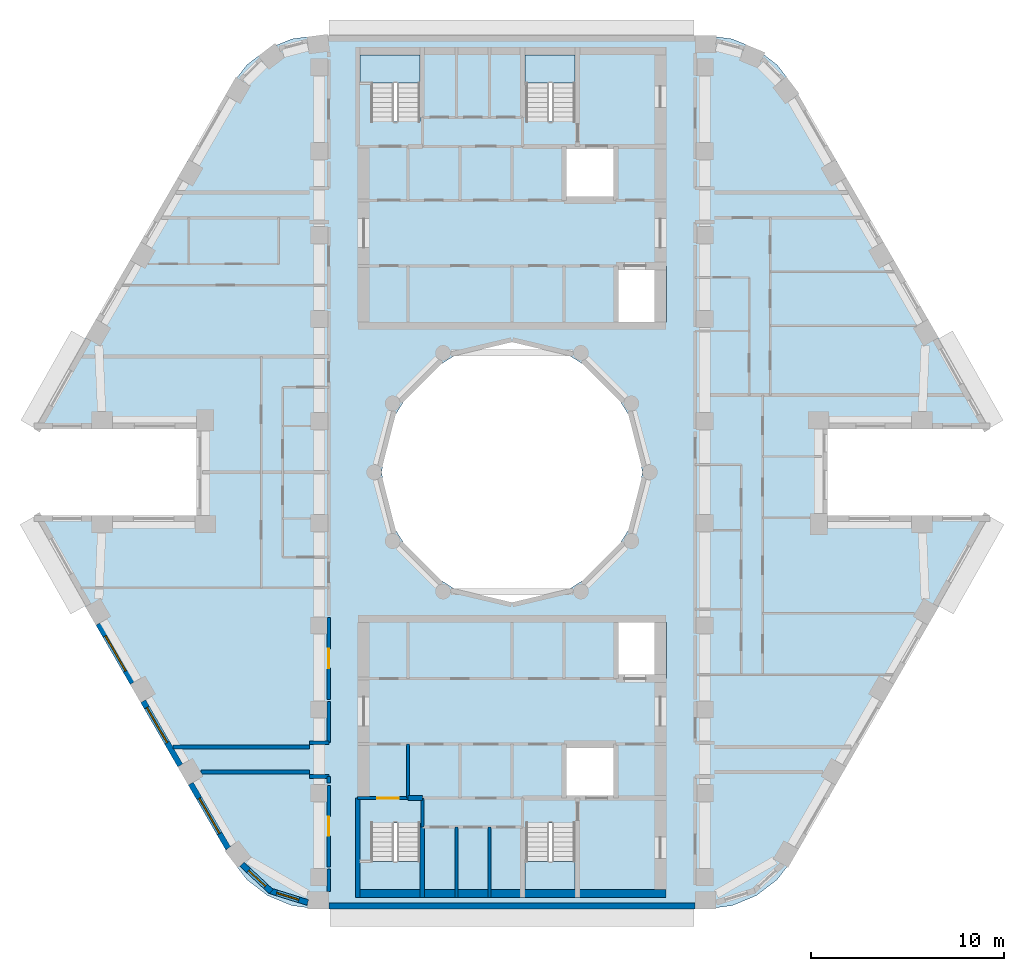
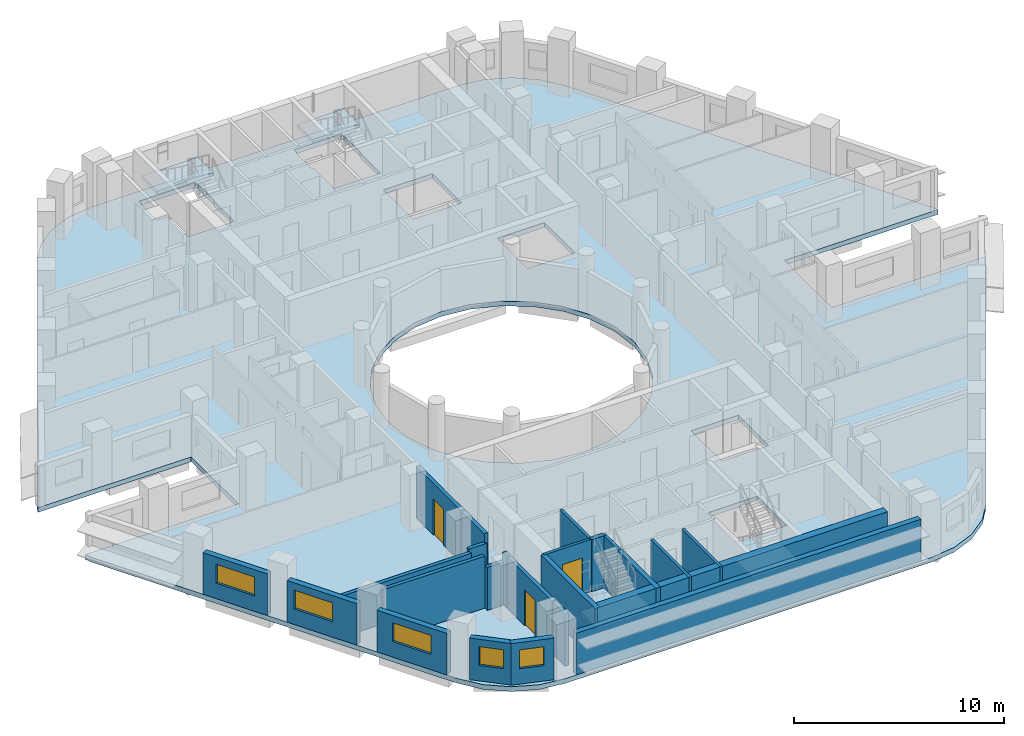
# One storey, part 2 of 12: 24 walls, 5 slabs, 5 windows, 3 doors, 8 openings, 4 elements without a shape of their own.
"""IFC4 building model written with IfcOpenShell, lengths in metres."""

from ifc_helpers import new_model, si_unit, direction, frame, frame_2d, origin, place, context, subcontext, project, spatial, polyline, rectangle, outline, extrude, material, layer, layer_set, type_object, element, fill, aggregate, save


model = new_model("IFC4")

# Units and contexts
model_context = context("Model", 3, precision=1e-05, world=origin(), true_north=direction((0.0, 1.0)))
body_context = subcontext(model_context, "Body", "Model", "MODEL_VIEW")
ifc_project = project(units=[si_unit("LENGTHUNIT", "METRE"), si_unit("AREAUNIT", "SQUARE_METRE"), si_unit("VOLUMEUNIT", "CUBIC_METRE"), si_unit("PLANEANGLEUNIT", "RADIAN"), si_unit("MASSUNIT", "GRAM", prefix="KILO")], contexts=[model_context])

# Site, building, storey
site_placement = place(None, origin())
site = spatial("IfcSite", under=ifc_project, at=site_placement, CompositionType="ELEMENT")
building_placement = place(site_placement, origin())
building = spatial("IfcBuilding", under=site, at=building_placement, Name="Nakaniwa Court", CompositionType="ELEMENT")
storey_placement = place(building_placement, frame((0.0, 0.0, 252.60009765625)))
storey = spatial("IfcBuildingStorey", under=building, at=storey_placement, Name="L66", CompositionType="ELEMENT", Elevation=252.60009765625)

# Slab
ifc_material_1 = material(Name="Concrete C80/100", Category="concrete")
ifc_layer_1 = layer(ifc_material_1, 0.27490234375)
ifc_layer_set_1 = layer_set([ifc_layer_1], Name="Concrete C80/100")
slab_type_1 = type_object("IfcSlabType", Name="Concrete C80/100 post tensioned floor slab 275", PredefinedType="FLOOR", material=ifc_layer_set_1)
slab_1_placement = place(storey_placement, frame((0.0, 0.0, -0.275146484375)))
element("IfcSlab", 1, at=slab_1_placement, inside=storey, type_object=slab_type_1, Name="FLOOR SLAB", PredefinedType="FLOOR", context=body_context, shape_type="SweptSolid", body=[
    extrude(outline(polyline([(96.349609375, 82.25), (104.7978515625, 82.25), (104.65283203125, 82.60009765625), (94.578125, 100.050048828125), (93.751708984375, 101.126953125), (92.6748046875, 101.953369140625), (91.420654296875, 102.472900390625), (90.07470703125, 102.64990234375), (69.92529296875, 102.64990234375), (68.579345703125, 102.472900390625), (67.3251953125, 101.953369140625), (66.248291015625, 101.126953125), (65.421875, 100.050048828125), (55.34716796875, 82.60009765625), (55.2021484375, 82.25), (63.650390625, 82.25), (63.650390625, 77.75), (55.2021484375, 77.75), (55.34716796875, 77.39990234375), (65.421875, 59.949951171875), (66.248291015625, 58.873046875), (67.3251953125, 58.046630859375), (68.579345703125, 57.527099609375), (69.92529296875, 57.35009765625), (90.07470703125, 57.35009765625), (91.420654296875, 57.527099609375), (92.6748046875, 58.046630859375), (93.751708984375, 58.873046875), (94.578125, 59.949951171875), (104.65283203125, 77.39990234375), (104.7978515625, 77.75), (96.349609375, 77.75), (96.349609375, 82.25)]), holes=[polyline([(81.501953125, 86.580810546875), (80.0, 86.75), (78.498046875, 86.580810546875), (77.0712890625, 86.08154296875), (75.79150390625, 85.27734375), (74.72265625, 84.20849609375), (73.91845703125, 82.9287109375), (73.419189453125, 81.501953125), (73.25, 80.0), (73.419189453125, 78.498046875), (73.91845703125, 77.0712890625), (74.72265625, 75.79150390625), (75.79150390625, 74.72265625), (77.0712890625, 73.91845703125), (78.498046875, 73.419189453125), (80.0, 73.25), (81.501953125, 73.419189453125), (82.9287109375, 73.91845703125), (84.20849609375, 74.72265625), (85.27734375, 75.79150390625), (86.08154296875, 77.0712890625), (86.580810546875, 78.498046875), (86.75, 80.0), (86.580810546875, 81.501953125), (86.08154296875, 82.9287109375), (85.27734375, 84.20849609375), (84.20849609375, 85.27734375), (82.9287109375, 86.08154296875), (81.501953125, 86.580810546875)]), polyline([(72.675048828125, 61.81005859375), (72.675048828125, 59.864990234375), (72.0849609375, 59.864990234375), (72.0849609375, 58.31005859375), (72.125, 58.31005859375), (72.125, 58.074951171875), (75.22509765625, 58.074951171875), (75.22509765625, 58.31005859375), (75.264892578125, 58.31005859375), (75.264892578125, 59.864990234375), (75.22509765625, 59.864990234375), (75.22509765625, 61.81005859375), (72.675048828125, 61.81005859375)]), polyline([(83.27490234375, 61.81005859375), (80.72509765625, 61.81005859375), (80.72509765625, 59.864990234375), (80.635009765625, 59.864990234375), (80.635009765625, 58.31005859375), (80.675048828125, 58.31005859375), (80.675048828125, 58.074951171875), (83.27490234375, 58.074951171875), (83.27490234375, 58.31005859375), (83.31494140625, 58.31005859375), (83.31494140625, 59.864990234375), (83.27490234375, 59.864990234375), (83.27490234375, 61.81005859375)]), polyline([(75.264892578125, 101.68994140625), (75.22509765625, 101.68994140625), (75.22509765625, 101.925048828125), (72.125, 101.925048828125), (72.125, 101.68994140625), (72.0849609375, 101.68994140625), (72.0849609375, 100.135009765625), (72.675048828125, 100.135009765625), (72.675048828125, 98.18994140625), (75.22509765625, 98.18994140625), (75.22509765625, 100.135009765625), (75.264892578125, 100.135009765625), (75.264892578125, 101.68994140625)]), polyline([(83.31494140625, 100.135009765625), (83.31494140625, 101.68994140625), (83.27490234375, 101.68994140625), (83.27490234375, 101.925048828125), (80.675048828125, 101.925048828125), (80.675048828125, 101.68994140625), (80.635009765625, 101.68994140625), (80.635009765625, 100.135009765625), (80.72509765625, 100.135009765625), (80.72509765625, 98.18994140625), (83.27490234375, 98.18994140625), (83.27490234375, 100.135009765625), (83.31494140625, 100.135009765625)]), polyline([(85.39990234375, 65.89990234375), (82.699951171875, 65.89990234375), (82.699951171875, 63.10009765625), (85.39990234375, 63.10009765625), (85.39990234375, 65.89990234375)]), polyline([(88.0, 72.199951171875), (85.39990234375, 72.199951171875), (85.39990234375, 69.300048828125), (88.0, 69.300048828125), (88.0, 72.199951171875)]), polyline([(85.39990234375, 90.699951171875), (85.39990234375, 87.800048828125), (88.0, 87.800048828125), (88.0, 90.699951171875), (85.39990234375, 90.699951171875)]), polyline([(85.39990234375, 96.89990234375), (82.699951171875, 96.89990234375), (82.699951171875, 94.10009765625), (85.39990234375, 94.10009765625), (85.39990234375, 96.89990234375)])]), origin(), (0.0, 0.0, 1.0), 0.275146484375),
])

# Stair, slab
stair_type = type_object("IfcStairType", Name="Dog leg stair 1200 wide 18 risers", PredefinedType="HALF_TURN_STAIR", material=ifc_material_1)
stair_1_placement = place(storey_placement, origin())
stair_1 = element("IfcStair", 2, at=stair_1_placement, inside=storey, type_object=stair_type, Name="L66 Stair ST1", PredefinedType="HALF_TURN_STAIR")
ifc_layer_2 = layer(ifc_material_1, 0.199951171875)
ifc_layer_set_2 = layer_set([ifc_layer_2], Name="Concrete C80/100")
slab_type_2 = type_object("IfcSlabType", Name="Stair landing concrete", PredefinedType="LANDING", material=ifc_layer_set_2)
slab_2_placement = place(storey_placement, frame((0.0, 0.0, 1.449951171875)))
slab_2 = element("IfcSlab", 3, at=slab_2_placement, type_object=slab_type_2, Name="ST1 landing 1", PredefinedType="LANDING", context=body_context, shape_type="SweptSolid", body=[
    extrude(outline(polyline([(75.22509765625, 100.175048828125), (75.22509765625, 101.64990234375), (72.125, 101.64990234375), (72.125, 100.175048828125), (75.22509765625, 100.175048828125)])), origin(), (0.0, 0.0, 1.0), 0.199951171875),
])
aggregate(stair_1, [slab_2])

stair_2_placement = place(storey_placement, origin())
stair_2 = element("IfcStair", 4, at=stair_2_placement, inside=storey, type_object=stair_type, Name="L66 Stair ST2", PredefinedType="HALF_TURN_STAIR")
slab_3_placement = place(storey_placement, frame((0.0, 0.0, 1.449951171875)))
slab_3 = element("IfcSlab", 5, at=slab_3_placement, type_object=slab_type_2, Name="ST2 landing 1", PredefinedType="LANDING", context=body_context, shape_type="SweptSolid", body=[
    extrude(outline(polyline([(83.27490234375, 100.175048828125), (83.27490234375, 101.64990234375), (80.675048828125, 101.64990234375), (80.675048828125, 100.175048828125), (83.27490234375, 100.175048828125)])), origin(), (0.0, 0.0, 1.0), 0.199951171875),
])
aggregate(stair_2, [slab_3])

stair_3_placement = place(storey_placement, origin())
stair_3 = element("IfcStair", 6, at=stair_3_placement, inside=storey, type_object=stair_type, Name="L66 Stair ST3", PredefinedType="HALF_TURN_STAIR")
slab_4_placement = place(storey_placement, frame((0.0, 0.0, 1.449951171875)))
slab_4 = element("IfcSlab", 7, at=slab_4_placement, type_object=slab_type_2, Name="ST3 landing 1", PredefinedType="LANDING", context=body_context, shape_type="SweptSolid", body=[
    extrude(outline(polyline([(75.22509765625, 58.35009765625), (75.22509765625, 59.824951171875), (72.125, 59.824951171875), (72.125, 58.35009765625), (75.22509765625, 58.35009765625)])), origin(), (0.0, 0.0, 1.0), 0.199951171875),
])
aggregate(stair_3, [slab_4])

stair_4_placement = place(storey_placement, origin())
stair_4 = element("IfcStair", 8, at=stair_4_placement, inside=storey, type_object=stair_type, Name="L66 Stair ST4", PredefinedType="HALF_TURN_STAIR")
slab_5_placement = place(storey_placement, frame((0.0, 0.0, 1.449951171875)))
slab_5 = element("IfcSlab", 9, at=slab_5_placement, type_object=slab_type_2, Name="ST4 landing 1", PredefinedType="LANDING", context=body_context, shape_type="SweptSolid", body=[
    extrude(outline(polyline([(83.27490234375, 58.35009765625), (83.27490234375, 59.824951171875), (80.675048828125, 59.824951171875), (80.675048828125, 58.35009765625), (83.27490234375, 58.35009765625)])), origin(), (0.0, 0.0, 1.0), 0.199951171875),
])
aggregate(stair_4, [slab_5])

# Walls
ifc_material_2 = material(Name="Acoustic double stud partition")
ifc_layer_3 = layer(ifc_material_2, 0.199951171875)
ifc_layer_set_3 = layer_set([ifc_layer_3], Name="Acoustic double stud partition")
wall_type_1 = type_object("IfcWallType", Name="Acoustic double stud partition 200", PredefinedType="PARTITIONING", material=ifc_layer_set_3)
wall_1_placement = place(storey_placement, frame((63.88330078125, 64.449951171875, 0.0), z_axis=(0.0, 0.0, 1.0), x_axis=(1.0, 0.0, 0.0)))
element("IfcWall", 10, at=wall_1_placement, inside=storey, type_object=wall_type_1, Name="Partition PW-078", PredefinedType="PARTITIONING", context=body_context, shape_type="SweptSolid", body=[
    extrude(rectangle(XDim=5.61669921875, YDim=0.199951171875, at=frame_2d((2.808349609375, 0.0))), origin(), (0.0, 0.0, 1.0), 3.02490234375),
])
for number, where, z_axis, x_axis, name in (
    (11, (69.5, 64.22509765625, 0.0), (0.0, 0.0, 1.0), (1.0, 0.0, 0.0), "Partition PW-080"),
    (12, (69.5, 65.97509765625, 0.0), (0.0, 0.0, 1.0), (1.0, 0.0, 0.0), "Partition PW-082"),
):
    element("IfcWall", number, at=place(storey_placement, frame(where, z_axis=z_axis, x_axis=x_axis)), inside=storey, type_object=wall_type_1, Name=name, PredefinedType="PARTITIONING", context=body_context, shape_type="SweptSolid", body=[
        extrude(rectangle(XDim=1.0, YDim=0.199951171875, at=frame_2d((0.5, 0.0))), origin(), (0.0, 0.0, 1.0), 2.5048828125),
    ])
wall_2_placement = place(storey_placement, frame((62.419677734375, 65.75, 0.0), z_axis=(0.0, 0.0, 1.0), x_axis=(1.0, 0.0, 0.0)))
element("IfcWall", 13, at=wall_2_placement, inside=storey, type_object=wall_type_1, Name="Partition PW-084", PredefinedType="PARTITIONING", context=body_context, shape_type="SweptSolid", body=[
    extrude(rectangle(XDim=7.080322265625, YDim=0.199951171875, at=frame_2d((3.5400390625, 0.0))), origin(), (0.0, 0.0, 1.0), 2.40478515625),
])
wall_3_placement = place(storey_placement, frame((70.5, 58.26708984375, 0.0), z_axis=(0.0, 0.0, 1.0), x_axis=(0.0, 1.0, 0.0)))
element("IfcWall", 14, at=wall_3_placement, inside=storey, type_object=wall_type_1, Name="Partition PW-086", PredefinedType="PARTITIONING", context=body_context, shape_type="SweptSolid", body=[
    extrude(rectangle(XDim=1.14599609375, YDim=0.199951171875, at=frame_2d((0.572998046875, 0.0))), origin(), (0.0, 0.0, 1.0), 3.02490234375),
])

# Wall, opening, door
wall_4_placement = place(storey_placement, frame((70.5, 59.527099609375, 0.0), z_axis=(0.0, 0.0, 1.0), x_axis=(0.0, 1.0, 0.0)))
wall_4 = element("IfcWall", 15, at=wall_4_placement, inside=storey, type_object=wall_type_1, Name="Partition PW-087", PredefinedType="PARTITIONING", context=body_context, shape_type="SweptSolid", body=[
    extrude(rectangle(XDim=4.23583984375, YDim=0.199951171875, at=frame_2d((2.117919921875, 0.0))), origin(), (0.0, 0.0, 1.0), 3.02490234375),
])
opening_1_placement = place(wall_4_placement, frame((1.617919921875, 0.0, 0.0)))
opening_1 = element("IfcOpeningElement", 16, at=opening_1_placement, cuts=wall_4, Name="Opening D-02-05", PredefinedType="OPENING", context=body_context, shape_type="SweptSolid", body=[
    extrude(rectangle(XDim=1.0, YDim=2.10009765625, at=frame_2d((0.5, 1.050048828125))), frame((0.0, 0.10986328125, 0.0), z_axis=(0.0, -1.0, 0.0), x_axis=(1.0, 0.0, 0.0)), (0.0, 0.0, 1.0), 0.219970703125),
])
ifc_material_3 = material(Name="Solid core timber door set, black veneer", Category="wood")
door_type_1 = type_object("IfcDoorType", Name="Internal door 1000", OperationType="NOTDEFINED", PredefinedType="DOOR", material=ifc_material_3)
door_1_placement = place(opening_1_placement, origin())
door_1 = element("IfcDoor", 17, at=door_1_placement, inside=storey, type_object=door_type_1, Name="Door D-02-05 L66-061", OperationType="SINGLE_SWING_RIGHT", OverallHeight=2.10009765625, OverallWidth=1.0, PredefinedType="DOOR", context=body_context, shape_type="SweptSolid", body=[
    extrude(rectangle(XDim=1.0, YDim=2.10009765625, at=frame_2d((0.5, 1.050048828125))), frame((0.0, 0.02490234375, 0.0), z_axis=(0.0, -1.0, 0.0), x_axis=(1.0, 0.0, 0.0)), (0.0, 0.0, 1.0), 0.050048828125),
])
fill(opening_1, door_1)

# Walls
wall_5_placement = place(storey_placement, frame((70.5, 63.876953125, 0.0), z_axis=(0.0, 0.0, 1.0), x_axis=(0.0, 1.0, 0.0)))
element("IfcWall", 18, at=wall_5_placement, inside=storey, type_object=wall_type_1, Name="Partition PW-088", PredefinedType="PARTITIONING", context=body_context, shape_type="SweptSolid", body=[
    extrude(rectangle(XDim=0.35107421875, YDim=0.199951171875, at=frame_2d((0.175537109375, 0.0))), origin(), (0.0, 0.0, 1.0), 3.02490234375),
])
wall_6_placement = place(storey_placement, frame((70.5, 65.971923828125, 0.0), z_axis=(0.0, 0.0, 1.0), x_axis=(0.0, 1.0, 0.0)))
element("IfcWall", 19, at=wall_6_placement, inside=storey, type_object=wall_type_1, Name="Partition PW-089", PredefinedType="PARTITIONING", context=body_context, shape_type="SweptSolid", body=[
    extrude(rectangle(XDim=2.14111328125, YDim=0.199951171875, at=frame_2d((1.070556640625, 0.0))), origin(), (0.0, 0.0, 1.0), 3.02490234375),
])

# Wall, opening, door
wall_7_placement = place(storey_placement, frame((70.5, 68.22705078125, 0.0), z_axis=(0.0, 0.0, 1.0), x_axis=(0.0, 1.0, 0.0)))
wall_7 = element("IfcWall", 20, at=wall_7_placement, inside=storey, type_object=wall_type_1, Name="Partition PW-090", PredefinedType="PARTITIONING", context=body_context, shape_type="SweptSolid", body=[
    extrude(rectangle(XDim=4.23583984375, YDim=0.199951171875, at=frame_2d((2.117919921875, 0.0))), origin(), (0.0, 0.0, 1.0), 3.02490234375),
])
opening_2_placement = place(wall_7_placement, frame((1.617919921875, 0.0, 0.0)))
opening_2 = element("IfcOpeningElement", 21, at=opening_2_placement, cuts=wall_7, Name="Opening D-02-02", PredefinedType="OPENING", context=body_context, shape_type="SweptSolid", body=[
    extrude(rectangle(XDim=1.0, YDim=2.10009765625, at=frame_2d((0.5, 1.050048828125))), frame((0.0, 0.10986328125, 0.0), z_axis=(0.0, -1.0, 0.0), x_axis=(1.0, 0.0, 0.0)), (0.0, 0.0, 1.0), 0.219970703125),
])
door_2_placement = place(opening_2_placement, origin())
door_2 = element("IfcDoor", 22, at=door_2_placement, inside=storey, type_object=door_type_1, Name="Door D-02-02 L66-046", OperationType="SINGLE_SWING_LEFT", OverallHeight=2.10009765625, OverallWidth=1.0, PredefinedType="DOOR", context=body_context, shape_type="SweptSolid", body=[
    extrude(rectangle(XDim=1.0, YDim=2.10009765625, at=frame_2d((0.5, 1.050048828125))), frame((0.0, 0.02490234375, 0.0), z_axis=(0.0, -1.0, 0.0), x_axis=(1.0, 0.0, 0.0)), (0.0, 0.0, 1.0), 0.050048828125),
])
fill(opening_2, door_2)

# Wall, opening, window
ifc_material_4 = material(Name="Charcoal ceramic cladding")
ifc_layer_4 = layer(ifc_material_4, 0.02, Name="Ceramic cladding")
ifc_material_5 = material(Name="Ventilated air cavity")
ifc_layer_5 = layer(ifc_material_5, 0.04, ventilated=True, Name="Ventilated cavity")
ifc_material_6 = material(Name="Mineral wool insulation")
ifc_layer_6 = layer(ifc_material_6, 0.1, Name="Insulation")
ifc_material_7 = material(Name="Cement bonded sheathing board")
ifc_layer_7 = layer(ifc_material_7, 0.012, Name="Sheathing")
ifc_material_8 = material(Name="Cold-formed galvanised stud frame with mineral wool infill")
ifc_layer_8 = layer(ifc_material_8, 0.1, Name="Stud frame")
ifc_material_9 = material(Name="Fire-rated gypsum plasterboard lining")
ifc_layer_9 = layer(ifc_material_9, 0.028, Name="Lining")
ifc_layer_set_4 = layer_set([ifc_layer_4, ifc_layer_5, ifc_layer_6, ifc_layer_7, ifc_layer_8, ifc_layer_9], Name="Charcoal ceramic faced external wall system")
wall_type_2 = type_object("IfcWallType", Name="Black ceramic faced external wall 300", PredefinedType="SOLIDWALL", material=ifc_layer_set_4)
wall_8_placement = place(storey_placement, frame((58.55419921875, 72.14501953125, 0.0), z_axis=(0.0, 0.0, 1.0), x_axis=(0.500010404316, -0.866019396766, 0.0)))
wall_8 = element("IfcWall", 23, at=wall_8_placement, inside=storey, type_object=wall_type_2, Name="L66 external wall 21", PredefinedType="SOLIDWALL", context=body_context, shape_type="SweptSolid", body=[
    extrude(rectangle(XDim=3.54736328125, YDim=0.300048828125, at=frame_2d((1.773681640625, 0.0))), origin(), (0.0, 0.0, 1.0), 2.4248046875),
])
opening_3_placement = place(wall_8_placement, frame((0.723388671875, 0.0, 0.89990234375)))
opening_3 = element("IfcOpeningElement", 24, at=opening_3_placement, cuts=wall_8, Name="Opening W7.23", PredefinedType="OPENING", context=body_context, shape_type="SweptSolid", body=[
    extrude(rectangle(XDim=2.10009765625, YDim=1.10009765625, at=frame_2d((1.050048828125, 0.550048828125))), frame((0.0, 0.159912109375, 0.0), z_axis=(0.0, -1.0, 0.0), x_axis=(1.0, 0.0, 0.0)), (0.0, 0.0, 1.0), 0.320068359375),
])
ifc_material_10 = material(Name="Black anodised aluminium frame with dark low-E laminated double glazing", Category="aluminium")
window_type_1 = type_object("IfcWindowType", Name="Dark glass window 2100x1100 sill 900", PartitioningType="SINGLE_PANEL", PredefinedType="WINDOW", material=ifc_material_10)
window_1_placement = place(opening_3_placement, origin())
window_1 = element("IfcWindow", 25, at=window_1_placement, inside=storey, type_object=window_type_1, Name="L66 habitable room window 21-0", OverallHeight=1.10009765625, OverallWidth=2.10009765625, PartitioningType="SINGLE_PANEL", PredefinedType="WINDOW", context=body_context, shape_type="SweptSolid", body=[
    extrude(rectangle(XDim=2.10009765625, YDim=1.10009765625, at=frame_2d((1.050048828125, 0.550048828125))), frame((0.0, 0.030029296875, 0.0), z_axis=(0.0, -1.0, 0.0), x_axis=(1.0, 0.0, 0.0)), (0.0, 0.0, 1.0), 0.06005859375),
])
fill(opening_3, window_1)

wall_9_placement = place(storey_placement, frame((60.873779296875, 68.12744140625, 0.0), z_axis=(0.0, 0.0, 1.0), x_axis=(0.499984490703, -0.866034357896, 0.0)))
wall_9 = element("IfcWall", 26, at=wall_9_placement, inside=storey, type_object=wall_type_2, Name="L66 external wall 22", PredefinedType="SOLIDWALL", context=body_context, shape_type="SweptSolid", body=[
    extrude(rectangle(XDim=3.84423828125, YDim=0.300048828125, at=frame_2d((1.922119140625, 0.0))), origin(), (0.0, 0.0, 1.0), 2.4248046875),
])
opening_4_placement = place(wall_9_placement, frame((0.3837890625, 0.0, 0.89990234375)))
opening_4 = element("IfcOpeningElement", 27, at=opening_4_placement, cuts=wall_9, Name="Opening W7.24", PredefinedType="OPENING", context=body_context, shape_type="SweptSolid", body=[
    extrude(rectangle(XDim=2.10009765625, YDim=1.10009765625, at=frame_2d((1.050048828125, 0.550048828125))), frame((0.0, 0.159912109375, 0.0), z_axis=(0.0, -1.0, 0.0), x_axis=(1.0, 0.0, 0.0)), (0.0, 0.0, 1.0), 0.320068359375),
])
window_2_placement = place(opening_4_placement, origin())
window_2 = element("IfcWindow", 28, at=window_2_placement, inside=storey, type_object=window_type_1, Name="L66 habitable room window 22-0", OverallHeight=1.10009765625, OverallWidth=2.10009765625, PartitioningType="SINGLE_PANEL", PredefinedType="WINDOW", context=body_context, shape_type="SweptSolid", body=[
    extrude(rectangle(XDim=2.10009765625, YDim=1.10009765625, at=frame_2d((1.050048828125, 0.550048828125))), frame((0.0, 0.030029296875, 0.0), z_axis=(0.0, -1.0, 0.0), x_axis=(1.0, 0.0, 0.0)), (0.0, 0.0, 1.0), 0.06005859375),
])
fill(opening_4, window_2)

wall_10_placement = place(storey_placement, frame((63.342041015625, 63.8525390625, 0.0), z_axis=(0.0, 0.0, 1.0), x_axis=(0.500011218404, -0.866018926739, 0.0)))
wall_10 = element("IfcWall", 29, at=wall_10_placement, inside=storey, type_object=wall_type_2, Name="L66 external wall 23", PredefinedType="SOLIDWALL", context=body_context, shape_type="SweptSolid", body=[
    extrude(rectangle(XDim=3.87890625, YDim=0.300048828125, at=frame_2d((1.939453125, 0.0))), origin(), (0.0, 0.0, 1.0), 2.4248046875),
])
opening_5_placement = place(wall_10_placement, frame((0.878173828125, 0.0, 0.89990234375)))
opening_5 = element("IfcOpeningElement", 30, at=opening_5_placement, cuts=wall_10, Name="Opening W7.25", PredefinedType="OPENING", context=body_context, shape_type="SweptSolid", body=[
    extrude(rectangle(XDim=2.10009765625, YDim=1.10009765625, at=frame_2d((1.050048828125, 0.550048828125))), frame((0.0, 0.159912109375, 0.0), z_axis=(0.0, -1.0, 0.0), x_axis=(1.0, 0.0, 0.0)), (0.0, 0.0, 1.0), 0.320068359375),
])
window_3_placement = place(opening_5_placement, origin())
window_3 = element("IfcWindow", 31, at=window_3_placement, inside=storey, type_object=window_type_1, Name="L66 habitable room window 23-0", OverallHeight=1.10009765625, OverallWidth=2.10009765625, PartitioningType="SINGLE_PANEL", PredefinedType="WINDOW", context=body_context, shape_type="SweptSolid", body=[
    extrude(rectangle(XDim=2.10009765625, YDim=1.10009765625, at=frame_2d((1.050048828125, 0.550048828125))), frame((0.0, 0.030029296875, 0.0), z_axis=(0.0, -1.0, 0.0), x_axis=(1.0, 0.0, 0.0)), (0.0, 0.0, 1.0), 0.06005859375),
])
fill(opening_5, window_3)

wall_11_placement = place(storey_placement, frame((65.99609375, 59.665283203125, 0.0), z_axis=(0.0, 0.0, 1.0), x_axis=(0.731942518471, -0.6813663843, 0.0)))
wall_11 = element("IfcWall", 32, at=wall_11_placement, inside=storey, type_object=wall_type_2, Name="L66 external wall 24", PredefinedType="SOLIDWALL", context=body_context, shape_type="SweptSolid", body=[
    extrude(rectangle(XDim=2.07568359375, YDim=0.300048828125, at=frame_2d((1.037841796875, 0.0))), origin(), (0.0, 0.0, 1.0), 2.4248046875),
])
opening_6_placement = place(wall_11_placement, frame((0.464111328125, 0.0, 0.89990234375)))
opening_6 = element("IfcOpeningElement", 33, at=opening_6_placement, cuts=wall_11, Name="Opening W6.26", PredefinedType="OPENING", context=body_context, shape_type="SweptSolid", body=[
    extrude(rectangle(XDim=1.199951171875, YDim=1.10009765625, at=frame_2d((0.60009765625, 0.550048828125))), frame((0.0, 0.159912109375, 0.0), z_axis=(0.0, -1.0, 0.0), x_axis=(1.0, 0.0, 0.0)), (0.0, 0.0, 1.0), 0.320068359375),
])
window_type_2 = type_object("IfcWindowType", Name="Dark glass window 1200x1100 sill 900", PartitioningType="SINGLE_PANEL", PredefinedType="WINDOW", material=ifc_material_10)
window_4_placement = place(opening_6_placement, origin())
window_4 = element("IfcWindow", 34, at=window_4_placement, inside=storey, type_object=window_type_2, Name="L66 habitable room window 24-0", OverallHeight=1.10009765625, OverallWidth=1.199951171875, PartitioningType="SINGLE_PANEL", PredefinedType="WINDOW", context=body_context, shape_type="SweptSolid", body=[
    extrude(rectangle(XDim=1.199951171875, YDim=1.10009765625, at=frame_2d((0.60009765625, 0.550048828125))), frame((0.0, 0.030029296875, 0.0), z_axis=(0.0, -1.0, 0.0), x_axis=(1.0, 0.0, 0.0)), (0.0, 0.0, 1.0), 0.06005859375),
])
fill(opening_6, window_4)

wall_12_placement = place(storey_placement, frame((67.406494140625, 58.3076171875, 0.0), z_axis=(0.0, 0.0, 1.0), x_axis=(0.954761314907, -0.297373219301, 0.0)))
wall_12 = element("IfcWall", 35, at=wall_12_placement, inside=storey, type_object=wall_type_2, Name="L66 external wall 25", PredefinedType="SOLIDWALL", context=body_context, shape_type="SweptSolid", body=[
    extrude(rectangle(XDim=2.096923828125, YDim=0.300048828125, at=frame_2d((1.04833984375, 0.0))), origin(), (0.0, 0.0, 1.0), 2.4248046875),
])
opening_7_placement = place(wall_12_placement, frame((0.409423828125, 0.0, 0.89990234375)))
opening_7 = element("IfcOpeningElement", 36, at=opening_7_placement, cuts=wall_12, Name="Opening W6.27", PredefinedType="OPENING", context=body_context, shape_type="SweptSolid", body=[
    extrude(rectangle(XDim=1.199951171875, YDim=1.10009765625, at=frame_2d((0.60009765625, 0.550048828125))), frame((0.0, 0.159912109375, 0.0), z_axis=(0.0, -1.0, 0.0), x_axis=(1.0, 0.0, 0.0)), (0.0, 0.0, 1.0), 0.320068359375),
])
window_5_placement = place(opening_7_placement, origin())
window_5 = element("IfcWindow", 37, at=window_5_placement, inside=storey, type_object=window_type_2, Name="L66 habitable room window 25-0", OverallHeight=1.10009765625, OverallWidth=1.199951171875, PartitioningType="SINGLE_PANEL", PredefinedType="WINDOW", context=body_context, shape_type="SweptSolid", body=[
    extrude(rectangle(XDim=1.199951171875, YDim=1.10009765625, at=frame_2d((0.60009765625, 0.550048828125))), frame((0.0, 0.030029296875, 0.0), z_axis=(0.0, -1.0, 0.0), x_axis=(1.0, 0.0, 0.0)), (0.0, 0.0, 1.0), 0.06005859375),
])
fill(opening_7, window_5)

# Walls
wall_13_placement = place(storey_placement, frame((70.500732421875, 57.5, 0.0), z_axis=(0.0, 0.0, 1.0), x_axis=(1.0, 0.0, 0.0)))
element("IfcWall", 38, at=wall_13_placement, inside=storey, type_object=wall_type_2, Name="L66 external wall 26", PredefinedType="SOLIDWALL", context=body_context, shape_type="SweptSolid", body=[
    extrude(rectangle(XDim=18.99267578125, YDim=0.300048828125, at=frame_2d((9.496337890625, 0.0))), origin(), (0.0, 0.0, 1.0), 2.4248046875),
])
ifc_material_11 = material(Name="Blockwork partition", Category="masonry")
ifc_layer_10 = layer(ifc_material_11, 0.14990234375)
ifc_layer_set_5 = layer_set([ifc_layer_10], Name="Blockwork partition")
wall_type_3 = type_object("IfcWallType", Name="Blockwork partition 150", PredefinedType="PARTITIONING", material=ifc_layer_set_5)
wall_14_placement = place(storey_placement, frame((74.60009765625, 63.10009765625, 0.0), z_axis=(0.0, 0.0, 1.0), x_axis=(0.0, 1.0, 0.0)))
element("IfcWall", 39, at=wall_14_placement, inside=storey, type_object=wall_type_3, Name="Partition PW-030", PredefinedType="PARTITIONING", context=body_context, shape_type="SweptSolid", body=[
    extrude(rectangle(XDim=2.7998046875, YDim=0.14990234375, at=frame_2d((1.39990234375, 0.0))), origin(), (0.0, 0.0, 1.0), 3.02490234375),
])
for number, where, z_axis, x_axis, name in (
    (40, (77.117919921875, 57.949951171875, 0.0), (0.0, 0.0, 1.0), (0.0, 1.0, 0.0), "Partition PW-057"),
    (41, (78.833984375, 57.949951171875, 0.0), (0.0, 0.0, 1.0), (0.0, 1.0, 0.0), "Partition PW-058"),
):
    element("IfcWall", number, at=place(storey_placement, frame(where, z_axis=z_axis, x_axis=x_axis)), inside=storey, type_object=wall_type_3, Name=name, PredefinedType="PARTITIONING", context=body_context, shape_type="SweptSolid", body=[
        extrude(rectangle(XDim=3.650146484375, YDim=0.14990234375, at=frame_2d((1.8251953125, 0.0))), origin(), (0.0, 0.0, 1.0), 3.02490234375),
    ])

# Wall, opening, door
ifc_layer_11 = layer(ifc_material_1, 0.14990234375)
ifc_layer_set_6 = layer_set([ifc_layer_11], Name="Concrete C80/100")
wall_type_4 = type_object("IfcWallType", Name="Concrete core wall 150 C80", PredefinedType="SHEAR", material=ifc_layer_set_6)
wall_15_placement = place(storey_placement, frame((72.0, 63.10009765625, -0.275146484375), z_axis=(0.0, 0.0, 1.0), x_axis=(1.0, 0.0, 0.0)))
wall_15 = element("IfcWall", 42, at=wall_15_placement, inside=storey, type_object=wall_type_4, Name="Core wall SW-44", PredefinedType="SHEAR", context=body_context, shape_type="SweptSolid", body=[
    extrude(rectangle(XDim=2.60009765625, YDim=0.14990234375, at=frame_2d((1.300048828125, 0.0))), origin(), (0.0, 0.0, 1.0), 3.300048828125),
])
opening_8_placement = place(wall_15_placement, frame((1.02001953125, 0.0, 0.27490234375)))
opening_8 = element("IfcOpeningElement", 43, at=opening_8_placement, cuts=wall_15, Name="Opening D-09-02", PredefinedType="OPENING", context=body_context, shape_type="SweptSolid", body=[
    extrude(rectangle(XDim=1.10009765625, YDim=2.10009765625, at=frame_2d((0.550048828125, 1.050048828125))), frame((0.0, 0.0849609375, 0.0), z_axis=(0.0, -1.0, 0.0), x_axis=(1.0, 0.0, 0.0)), (0.0, 0.0, 1.0), 0.169921875),
])
ifc_material_12 = material(Name="Fire rated steel door set", Category="steel")
door_type_2 = type_object("IfcDoorType", Name="Stair door 1100", OperationType="NOTDEFINED", PredefinedType="DOOR", material=ifc_material_12)
door_3_placement = place(opening_8_placement, origin())
door_3 = element("IfcDoor", 44, at=door_3_placement, inside=storey, type_object=door_type_2, Name="Door D-09-02 L66-029", OperationType="SINGLE_SWING_LEFT", OverallHeight=2.10009765625, OverallWidth=1.10009765625, PredefinedType="DOOR", context=body_context, shape_type="SweptSolid", body=[
    extrude(rectangle(XDim=1.10009765625, YDim=2.10009765625, at=frame_2d((0.550048828125, 1.050048828125))), frame((0.0, 0.02490234375, 0.0), z_axis=(0.0, -1.0, 0.0), x_axis=(1.0, 0.0, 0.0)), (0.0, 0.0, 1.0), 0.050048828125),
])
fill(opening_8, door_3)

# Walls
wall_16_placement = place(storey_placement, frame((75.35009765625, 61.596923828125, -0.275146484375), z_axis=(0.0, 0.0, 1.0), x_axis=(0.0, 1.0, 0.0)))
element("IfcWall", 45, at=wall_16_placement, inside=storey, type_object=wall_type_4, Name="Core wall SW-50", PredefinedType="SHEAR", context=body_context, shape_type="SweptSolid", body=[
    extrude(rectangle(XDim=1.503173828125, YDim=0.14990234375, at=frame_2d((0.75146484375, 0.0))), origin(), (0.0, 0.0, 1.0), 3.300048828125),
])
ifc_layer_12 = layer(ifc_material_1, 0.25)
ifc_layer_set_7 = layer_set([ifc_layer_12], Name="Concrete C80/100")
wall_type_5 = type_object("IfcWallType", Name="Concrete core wall 250 C80", PredefinedType="SHEAR", material=ifc_layer_set_7)
wall_17_placement = place(storey_placement, frame((72.0, 57.949951171875, -0.275146484375), z_axis=(0.0, 0.0, 1.0), x_axis=(0.0, 1.0, 0.0)))
element("IfcWall", 46, at=wall_17_placement, inside=storey, type_object=wall_type_5, Name="Core wall SW-52", PredefinedType="SHEAR", context=body_context, shape_type="SweptSolid", body=[
    extrude(rectangle(XDim=5.150146484375, YDim=0.25, at=frame_2d((2.5751953125, 0.0))), origin(), (0.0, 0.0, 1.0), 3.300048828125),
])
ifc_layer_13 = layer(ifc_material_1, 0.39990234375)
ifc_layer_set_8 = layer_set([ifc_layer_13], Name="Concrete C80/100")
wall_type_6 = type_object("IfcWallType", Name="Concrete core wall 400 C80", PredefinedType="SHEAR", material=ifc_layer_set_8)
wall_18_placement = place(storey_placement, frame((72.00390625, 58.14990234375, -0.275146484375), z_axis=(0.0, 0.0, 1.0), x_axis=(1.0, 0.0, 0.0)))
element("IfcWall", 47, at=wall_18_placement, inside=storey, type_object=wall_type_6, Name="Core wall SW-128", PredefinedType="SHEAR", context=body_context, shape_type="SweptSolid", body=[
    extrude(rectangle(XDim=15.9921875, YDim=0.39990234375, at=frame_2d((7.99609375, 0.0))), origin(), (0.0, 0.0, 1.0), 3.300048828125),
])
ifc_layer_14 = layer(ifc_material_1, 0.25)
ifc_layer_set_9 = layer_set([ifc_layer_14], Name="Concrete C80/100")
wall_type_7 = type_object("IfcWallType", Name="Concrete shaft wall 250 C80", PredefinedType="SHEAR", material=ifc_layer_set_9)
wall_19_placement = place(storey_placement, frame((74.60009765625, 63.10009765625, -0.275146484375), z_axis=(0.0, 0.0, 1.0), x_axis=(1.0, 0.0, 0.0)))
element("IfcWall", 48, at=wall_19_placement, inside=storey, type_object=wall_type_7, Name="Core wall SW-46", PredefinedType="SHEAR", context=body_context, shape_type="SweptSolid", body=[
    extrude(rectangle(XDim=0.7529296875, YDim=0.25, at=frame_2d((0.37646484375, 0.0))), origin(), (0.0, 0.0, 1.0), 3.300048828125),
])
wall_20_placement = place(storey_placement, frame((75.35009765625, 57.949951171875, -0.275146484375), z_axis=(0.0, 0.0, 1.0), x_axis=(0.0, 1.0, 0.0)))
element("IfcWall", 49, at=wall_20_placement, inside=storey, type_object=wall_type_7, Name="Core wall SW-51", PredefinedType="SHEAR", context=body_context, shape_type="SweptSolid", body=[
    extrude(rectangle(XDim=3.653076171875, YDim=0.25, at=frame_2d((1.82666015625, 0.0))), origin(), (0.0, 0.0, 1.0), 3.300048828125),
])

save(model, "model.ifc")
